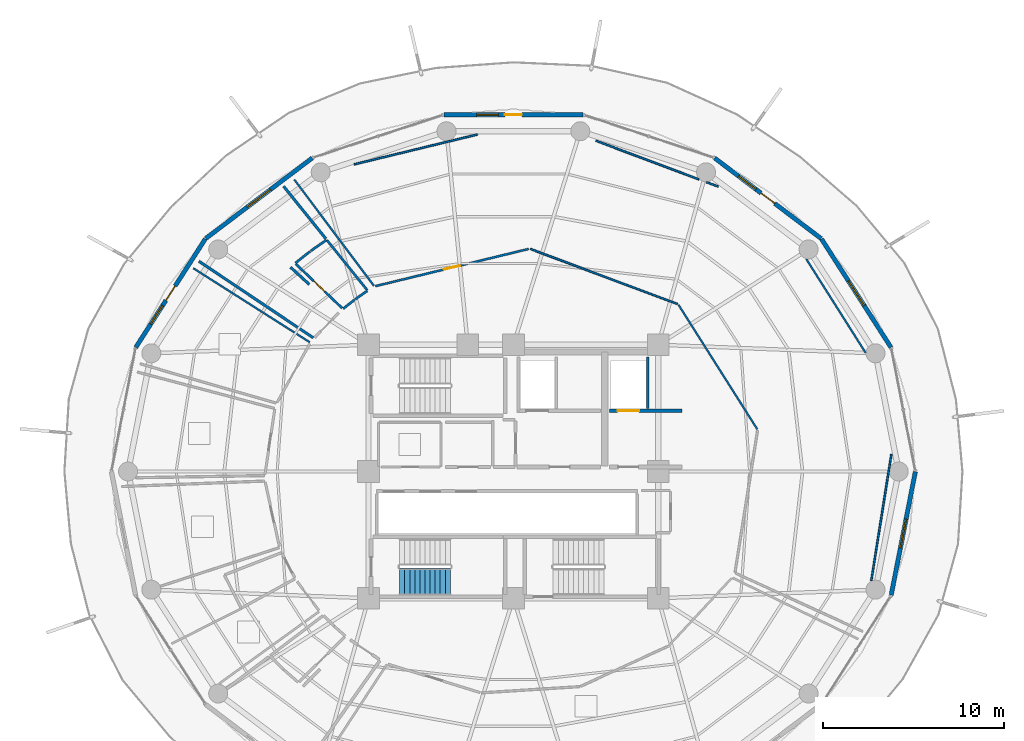
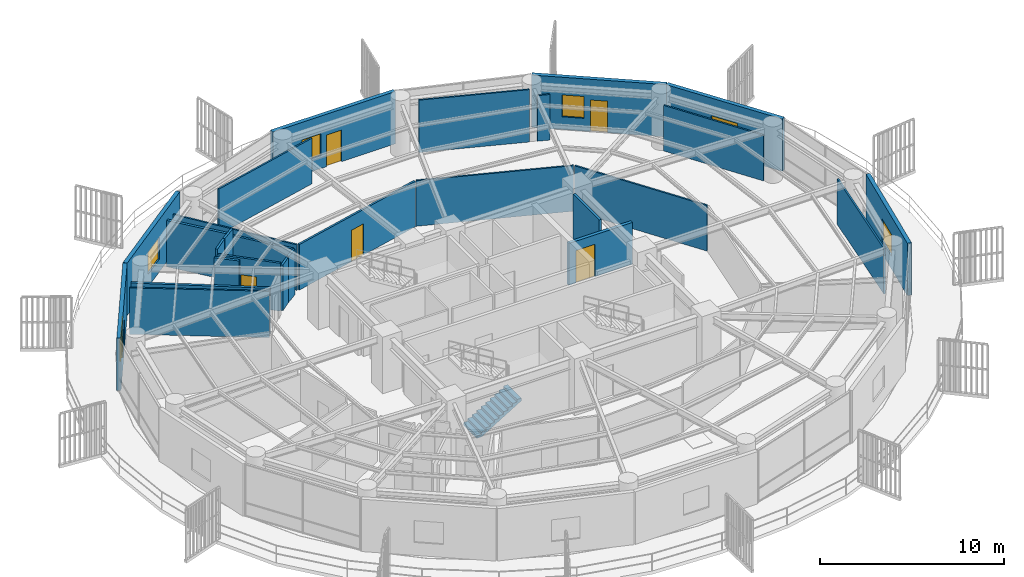
# One storey, part 25 of 30: 27 walls, 6 doors, 6 windows, 1 stair flight, 12 openings, 1 element without a shape of its own.
"""IFC4 building model written with IfcOpenShell, lengths in metres."""

from ifc_helpers import new_model, si_unit, direction, frame, frame_2d, origin, place, context, subcontext, project, spatial, polyline, rectangle, outline, extrude, material, layer, layer_set, type_object, element, fill, aggregate, save


model = new_model("IFC4")

# Units and contexts
model_context = context("Model", 3, precision=1e-05, world=origin(), true_north=direction((0.0, 1.0)))
body_context = subcontext(model_context, "Body", "Model", "MODEL_VIEW")
ifc_project = project(units=[si_unit("LENGTHUNIT", "METRE"), si_unit("AREAUNIT", "SQUARE_METRE"), si_unit("VOLUMEUNIT", "CUBIC_METRE"), si_unit("PLANEANGLEUNIT", "RADIAN"), si_unit("MASSUNIT", "GRAM", prefix="KILO")], contexts=[model_context])

# Site, building, storey
site_placement = place(None, origin())
site = spatial("IfcSite", under=ifc_project, at=site_placement, CompositionType="ELEMENT")
building_placement = place(site_placement, origin())
building = spatial("IfcBuilding", under=site, at=building_placement, Name="Kelanora Arch Commons", CompositionType="ELEMENT")
storey_placement = place(building_placement, frame((0.0, 0.0, 215.699951171875)))
storey = spatial("IfcBuildingStorey", under=building, at=storey_placement, Name="L55", CompositionType="ELEMENT", Elevation=215.699951171875)

# Walls
ifc_material_1 = material(Name="Autoclaved aerated concrete blockwork with fire plaster", Category="masonry")
ifc_layer_1 = layer(ifc_material_1, 0.14990234375)
ifc_layer_set_1 = layer_set([ifc_layer_1], Name="Autoclaved aerated concrete blockwork with fire plaster")
wall_type_1 = type_object("IfcWallType", Name="W-COMP-150", PredefinedType="PARTITIONING", material=ifc_layer_set_1)
wall_1_placement = place(storey_placement, frame((81.419921875, 61.47998046875, 0.0), z_axis=(0.0, 0.0, 1.0), x_axis=(0.0, 1.0, 0.0)))
element("IfcWall", 1, at=wall_1_placement, inside=storey, type_object=wall_type_1, Name="Firefighting Lift 2 East Shaft Wall L55", PredefinedType="PARTITIONING", context=body_context, shape_type="SweptSolid", body=[
    extrude(rectangle(XDim=2.840087890625, YDim=0.14990234375, at=frame_2d((1.419921875, 0.0))), origin(), (0.0, 0.0, 1.0), 3.47998046875),
])
wall_2_placement = place(storey_placement, frame((62.95068359375, 65.382080078125, 0.0), z_axis=(0.0, 0.0, 1.0), x_axis=(-0.831079650143, 0.556153409697, 0.0)))
element("IfcWall", 2, at=wall_2_placement, inside=storey, type_object=wall_type_1, Name="Co-Living Studio L55-01 Enclosure Partition 2", PredefinedType="PARTITIONING", context=body_context, shape_type="SweptSolid", body=[
    extrude(rectangle(XDim=7.594482421875, YDim=0.14990234375, at=frame_2d((3.79736328125, 0.0))), origin(), (0.0, 0.0, 1.0), 3.074951171875),
])
wall_3_placement = place(storey_placement, frame((61.31201171875, 73.748779296875, 0.0), z_axis=(0.0, 0.0, 1.0), x_axis=(0.627090198143, -0.778946649901, 0.0)))
element("IfcWall", 3, at=wall_3_placement, inside=storey, type_object=wall_type_1, Name="Co-Living Studio L55-01 Enclosure Partition 5", PredefinedType="PARTITIONING", context=body_context, shape_type="SweptSolid", body=[
    extrude(rectangle(XDim=3.712158203125, YDim=0.14990234375, at=frame_2d((1.85595703125, 0.0))), origin(), (0.0, 0.0, 1.0), 3.074951171875),
])
wall_4_placement = place(storey_placement, frame((61.69140625, 69.281005859375, 0.0), z_axis=(0.0, 0.0, 1.0), x_axis=(0.736726740779, -0.676190586611, 0.0)))
element("IfcWall", 4, at=wall_4_placement, inside=storey, type_object=wall_type_1, Name="Co-Living Studio L55-01 Enclosure Partition 7", PredefinedType="PARTITIONING", context=body_context, shape_type="SweptSolid", body=[
    extrude(rectangle(XDim=1.3994140625, YDim=0.14990234375, at=frame_2d((0.69970703125, 0.0))), origin(), (0.0, 0.0, 1.0), 3.175048828125),
])

# Wall, opening, window
ifc_material_2 = material(Name="Precast concrete C40/50 upper-zone terracotta rainscreen", Category="masonry")
ifc_layer_2 = layer(ifc_material_2, 0.239990234375)
ifc_layer_set_2 = layer_set([ifc_layer_2], Name="Precast concrete C40/50 upper-zone terracotta rainscreen")
wall_type_2 = type_object("IfcWallType", Name="W-EXT-TC2", PredefinedType="SOLIDWALL", material=ifc_layer_set_2)
wall_5_placement = place(storey_placement, frame((94.85302734375, 64.85302734375, 0.0), z_axis=(0.0, 0.0, 1.0), x_axis=(-0.539539512973, 0.841960280501, 0.0)))
wall_5 = element("IfcWall", 5, at=wall_5_placement, inside=storey, type_object=wall_type_2, Name="Terracotta Exterior Wall L55-B01", PredefinedType="SOLIDWALL", context=body_context, shape_type="SweptSolid", body=[
    extrude(rectangle(XDim=7.11474609375, YDim=0.239990234375, at=frame_2d((3.557373046875, 0.0))), origin(), (0.0, 0.0, 1.0), 3.47509765625),
])
opening_1_placement = place(wall_5_placement, frame((2.757080078125, 0.0, 0.85009765625)))
opening_1 = element("IfcOpeningElement", 6, at=opening_1_placement, cuts=wall_5, Name="Opening WN-01", PredefinedType="OPENING", context=body_context, shape_type="SweptSolid", body=[
    extrude(rectangle(XDim=1.60009765625, YDim=1.449951171875, at=frame_2d((0.800048828125, 0.72509765625))), frame((0.0, 0.1298828125, 0.0), z_axis=(0.0, -1.0, 0.0), x_axis=(1.0, 0.0, 0.0)), (0.0, 0.0, 1.0), 0.260009765625),
])
ifc_material_3 = material(Name="Terracotta-anodised aluminium frame with operable low-E glazing", Category="masonry")
window_type_1 = type_object("IfcWindowType", Name="WIN-CL-18", PartitioningType="DOUBLE_PANEL_VERTICAL", PredefinedType="WINDOW", material=ifc_material_3)
window_1_placement = place(opening_1_placement, origin())
window_1 = element("IfcWindow", 7, at=window_1_placement, inside=storey, type_object=window_type_1, Name="Co-Living Operable Window L55-B01", OverallHeight=1.449951171875, OverallWidth=1.60009765625, PartitioningType="SINGLE_PANEL", PredefinedType="WINDOW", context=body_context, shape_type="SweptSolid", body=[
    extrude(rectangle(XDim=1.60009765625, YDim=1.449951171875, at=frame_2d((0.800048828125, 0.72509765625))), frame((0.0, 0.030029296875, 0.0), z_axis=(0.0, -1.0, 0.0), x_axis=(1.0, 0.0, 0.0)), (0.0, 0.0, 1.0), 0.06005859375),
])
fill(opening_1, window_1)

# Wall, openings, door, window
wall_6_placement = place(storey_placement, frame((90.994140625, 70.86474609375, 0.0), z_axis=(0.0, 0.0, 1.0), x_axis=(-0.797701674595, 0.603052268338, 0.0)))
wall_6 = element("IfcWall", 8, at=wall_6_placement, inside=storey, type_object=wall_type_2, Name="Terracotta Exterior Wall L55-B02", PredefinedType="SOLIDWALL", context=body_context, shape_type="SweptSolid", body=[
    extrude(rectangle(XDim=7.373779296875, YDim=0.239990234375, at=frame_2d((3.68701171875, 0.0))), origin(), (0.0, 0.0, 1.0), 3.47509765625),
])
opening_2_placement = place(wall_6_placement, frame((3.2119140625, 0.0, 0.0)))
opening_2 = element("IfcOpeningElement", 9, at=opening_2_placement, cuts=wall_6, Name="Opening DB-01", PredefinedType="OPENING", context=body_context, shape_type="SweptSolid", body=[
    extrude(rectangle(XDim=0.949951171875, YDim=2.10009765625, at=frame_2d((0.47509765625, 1.050048828125))), frame((0.0, 0.1298828125, 0.0), z_axis=(0.0, -1.0, 0.0), x_axis=(1.0, 0.0, 0.0)), (0.0, 0.0, 1.0), 0.260009765625),
])
opening_3_placement = place(wall_6_placement, frame((4.511962890625, 0.0, 0.85009765625)))
opening_3 = element("IfcOpeningElement", 10, at=opening_3_placement, cuts=wall_6, Name="Opening WN-02", PredefinedType="OPENING", context=body_context, shape_type="SweptSolid", body=[
    extrude(rectangle(XDim=1.199951171875, YDim=1.449951171875, at=frame_2d((0.60009765625, 0.72509765625))), frame((0.0, 0.1298828125, 0.0), z_axis=(0.0, -1.0, 0.0), x_axis=(1.0, 0.0, 0.0)), (0.0, 0.0, 1.0), 0.260009765625),
])
ifc_material_4 = material(Name="Terracotta-aluminium thermally broken glazed balcony door", Category="masonry")
door_type_1 = type_object("IfcDoorType", Name="D-BAL-10", OperationType="NOTDEFINED", PredefinedType="DOOR", material=ifc_material_4)
door_1_placement = place(opening_2_placement, frame((0.949951171875, 0.0, 0.0), z_axis=(0.0, 0.0, 1.0), x_axis=(-1.0, 0.0, 0.0)))
door_1 = element("IfcDoor", 11, at=door_1_placement, inside=storey, type_object=door_type_1, Name="Wave Balcony Door L55-B02", OperationType="SINGLE_SWING_RIGHT", OverallHeight=2.10009765625, OverallWidth=0.949951171875, PredefinedType="DOOR", context=body_context, shape_type="SweptSolid", body=[
    extrude(rectangle(XDim=0.949951171875, YDim=2.10009765625, at=frame_2d((0.47509765625, 1.050048828125))), frame((0.0, 0.02490234375, 0.0), z_axis=(0.0, -1.0, 0.0), x_axis=(1.0, 0.0, 0.0)), (0.0, 0.0, 1.0), 0.050048828125),
])
fill(opening_2, door_1)
ifc_material_5 = material(Name="Terracotta-anodised aluminium frame with operable awning sash", Category="masonry")
window_type_2 = type_object("IfcWindowType", Name="WIN-CL-12", PartitioningType="SINGLE_PANEL", PredefinedType="WINDOW", material=ifc_material_5)
window_2_placement = place(opening_3_placement, origin())
window_2 = element("IfcWindow", 12, at=window_2_placement, inside=storey, type_object=window_type_2, Name="Co-Living Operable Window L55-B02", OverallHeight=1.449951171875, OverallWidth=1.199951171875, PartitioningType="SINGLE_PANEL", PredefinedType="WINDOW", context=body_context, shape_type="SweptSolid", body=[
    extrude(rectangle(XDim=1.199951171875, YDim=1.449951171875, at=frame_2d((0.60009765625, 0.72509765625))), frame((0.0, 0.030029296875, 0.0), z_axis=(0.0, -1.0, 0.0), x_axis=(1.0, 0.0, 0.0)), (0.0, 0.0, 1.0), 0.06005859375),
])
fill(opening_3, window_2)

wall_7_placement = place(storey_placement, frame((77.840087890625, 77.6962890625, 0.0), z_axis=(0.0, 0.0, 1.0), x_axis=(-1.0, 0.0, 0.0)))
wall_7 = element("IfcWall", 13, at=wall_7_placement, inside=storey, type_object=wall_type_2, Name="Terracotta Exterior Wall L55-B04", PredefinedType="SOLIDWALL", context=body_context, shape_type="SweptSolid", body=[
    extrude(rectangle(XDim=7.68017578125, YDim=0.239990234375, at=frame_2d((3.840087890625, 0.0))), origin(), (0.0, 0.0, 1.0), 3.47509765625),
])
opening_4_placement = place(wall_7_placement, frame((3.364990234375, 0.0, 0.0)))
opening_4 = element("IfcOpeningElement", 14, at=opening_4_placement, cuts=wall_7, Name="Opening DB-01", PredefinedType="OPENING", context=body_context, shape_type="SweptSolid", body=[
    extrude(rectangle(XDim=0.949951171875, YDim=2.10009765625, at=frame_2d((0.47509765625, 1.050048828125))), frame((0.0, 0.1298828125, 0.0), z_axis=(0.0, -1.0, 0.0), x_axis=(1.0, 0.0, 0.0)), (0.0, 0.0, 1.0), 0.260009765625),
])
opening_5_placement = place(wall_7_placement, frame((4.6650390625, 0.0, 0.85009765625)))
opening_5 = element("IfcOpeningElement", 15, at=opening_5_placement, cuts=wall_7, Name="Opening WN-02", PredefinedType="OPENING", context=body_context, shape_type="SweptSolid", body=[
    extrude(rectangle(XDim=1.199951171875, YDim=1.449951171875, at=frame_2d((0.60009765625, 0.72509765625))), frame((0.0, 0.1298828125, 0.0), z_axis=(0.0, -1.0, 0.0), x_axis=(1.0, 0.0, 0.0)), (0.0, 0.0, 1.0), 0.260009765625),
])
door_2_placement = place(opening_4_placement, frame((0.949951171875, 0.0, 0.0), z_axis=(0.0, 0.0, 1.0), x_axis=(-1.0, 0.0, 0.0)))
door_2 = element("IfcDoor", 16, at=door_2_placement, inside=storey, type_object=door_type_1, Name="Wave Balcony Door L55-B04", OperationType="SINGLE_SWING_RIGHT", OverallHeight=2.10009765625, OverallWidth=0.949951171875, PredefinedType="DOOR", context=body_context, shape_type="SweptSolid", body=[
    extrude(rectangle(XDim=0.949951171875, YDim=2.10009765625, at=frame_2d((0.47509765625, 1.050048828125))), frame((0.0, 0.02490234375, 0.0), z_axis=(0.0, -1.0, 0.0), x_axis=(1.0, 0.0, 0.0)), (0.0, 0.0, 1.0), 0.050048828125),
])
fill(opening_4, door_2)
window_3_placement = place(opening_5_placement, origin())
window_3 = element("IfcWindow", 17, at=window_3_placement, inside=storey, type_object=window_type_2, Name="Co-Living Operable Window L55-B04", OverallHeight=1.449951171875, OverallWidth=1.199951171875, PartitioningType="SINGLE_PANEL", PredefinedType="WINDOW", context=body_context, shape_type="SweptSolid", body=[
    extrude(rectangle(XDim=1.199951171875, YDim=1.449951171875, at=frame_2d((0.60009765625, 0.72509765625))), frame((0.0, 0.030029296875, 0.0), z_axis=(0.0, -1.0, 0.0), x_axis=(1.0, 0.0, 0.0)), (0.0, 0.0, 1.0), 0.06005859375),
])
fill(opening_5, window_3)

# Wall, opening, window
wall_8_placement = place(storey_placement, frame((62.887939453125, 75.3115234375, 0.0), z_axis=(0.0, 0.0, 1.0), x_axis=(-0.797701674595, -0.603052268338, 0.0)))
wall_8 = element("IfcWall", 18, at=wall_8_placement, inside=storey, type_object=wall_type_2, Name="Terracotta Exterior Wall L55-B06", PredefinedType="SOLIDWALL", context=body_context, shape_type="SweptSolid", body=[
    extrude(rectangle(XDim=7.373779296875, YDim=0.239990234375, at=frame_2d((3.68701171875, 0.0))), origin(), (0.0, 0.0, 1.0), 3.47509765625),
])
opening_6_placement = place(wall_8_placement, frame((2.886962890625, 0.0, 0.85009765625)))
opening_6 = element("IfcOpeningElement", 19, at=opening_6_placement, cuts=wall_8, Name="Opening WN-01", PredefinedType="OPENING", context=body_context, shape_type="SweptSolid", body=[
    extrude(rectangle(XDim=1.60009765625, YDim=1.449951171875, at=frame_2d((0.800048828125, 0.72509765625))), frame((0.0, 0.1298828125, 0.0), z_axis=(0.0, -1.0, 0.0), x_axis=(1.0, 0.0, 0.0)), (0.0, 0.0, 1.0), 0.260009765625),
])
window_4_placement = place(opening_6_placement, origin())
window_4 = element("IfcWindow", 20, at=window_4_placement, inside=storey, type_object=window_type_1, Name="Co-Living Operable Window L55-B06", OverallHeight=1.449951171875, OverallWidth=1.60009765625, PartitioningType="SINGLE_PANEL", PredefinedType="WINDOW", context=body_context, shape_type="SweptSolid", body=[
    extrude(rectangle(XDim=1.60009765625, YDim=1.449951171875, at=frame_2d((0.800048828125, 0.72509765625))), frame((0.0, 0.030029296875, 0.0), z_axis=(0.0, -1.0, 0.0), x_axis=(1.0, 0.0, 0.0)), (0.0, 0.0, 1.0), 0.06005859375),
])
fill(opening_6, window_4)

# Wall, openings, door, window
wall_9_placement = place(storey_placement, frame((56.985595703125, 70.84326171875, 0.0), z_axis=(0.0, 0.0, 1.0), x_axis=(-0.539539512973, -0.841960280501, 0.0)))
wall_9 = element("IfcWall", 21, at=wall_9_placement, inside=storey, type_object=wall_type_2, Name="Terracotta Exterior Wall L55-B07", PredefinedType="SOLIDWALL", context=body_context, shape_type="SweptSolid", body=[
    extrude(rectangle(XDim=7.11474609375, YDim=0.239990234375, at=frame_2d((3.557373046875, 0.0))), origin(), (0.0, 0.0, 1.0), 3.47509765625),
])
opening_7_placement = place(wall_9_placement, frame((3.08203125, 0.0, 0.0)))
opening_7 = element("IfcOpeningElement", 22, at=opening_7_placement, cuts=wall_9, Name="Opening DB-01", PredefinedType="OPENING", context=body_context, shape_type="SweptSolid", body=[
    extrude(rectangle(XDim=0.949951171875, YDim=2.10009765625, at=frame_2d((0.47509765625, 1.050048828125))), frame((0.0, 0.1298828125, 0.0), z_axis=(0.0, -1.0, 0.0), x_axis=(1.0, 0.0, 0.0)), (0.0, 0.0, 1.0), 0.260009765625),
])
opening_8_placement = place(wall_9_placement, frame((4.382080078125, 0.0, 0.85009765625)))
opening_8 = element("IfcOpeningElement", 23, at=opening_8_placement, cuts=wall_9, Name="Opening WN-02", PredefinedType="OPENING", context=body_context, shape_type="SweptSolid", body=[
    extrude(rectangle(XDim=1.199951171875, YDim=1.449951171875, at=frame_2d((0.60009765625, 0.72509765625))), frame((0.0, 0.1298828125, 0.0), z_axis=(0.0, -1.0, 0.0), x_axis=(1.0, 0.0, 0.0)), (0.0, 0.0, 1.0), 0.260009765625),
])
door_3_placement = place(opening_7_placement, frame((0.949951171875, 0.0, 0.0), z_axis=(0.0, 0.0, 1.0), x_axis=(-1.0, 0.0, 0.0)))
door_3 = element("IfcDoor", 24, at=door_3_placement, inside=storey, type_object=door_type_1, Name="Wave Balcony Door L55-B07", OperationType="SINGLE_SWING_LEFT", OverallHeight=2.10009765625, OverallWidth=0.949951171875, PredefinedType="DOOR", context=body_context, shape_type="SweptSolid", body=[
    extrude(rectangle(XDim=0.949951171875, YDim=2.10009765625, at=frame_2d((0.47509765625, 1.050048828125))), frame((0.0, 0.02490234375, 0.0), z_axis=(0.0, -1.0, 0.0), x_axis=(1.0, 0.0, 0.0)), (0.0, 0.0, 1.0), 0.050048828125),
])
fill(opening_7, door_3)
window_5_placement = place(opening_8_placement, origin())
window_5 = element("IfcWindow", 25, at=window_5_placement, inside=storey, type_object=window_type_2, Name="Co-Living Operable Window L55-B07", OverallHeight=1.449951171875, OverallWidth=1.199951171875, PartitioningType="SINGLE_PANEL", PredefinedType="WINDOW", context=body_context, shape_type="SweptSolid", body=[
    extrude(rectangle(XDim=1.199951171875, YDim=1.449951171875, at=frame_2d((0.60009765625, 0.72509765625))), frame((0.0, 0.030029296875, 0.0), z_axis=(0.0, -1.0, 0.0), x_axis=(1.0, 0.0, 0.0)), (0.0, 0.0, 1.0), 0.06005859375),
])
fill(opening_8, window_5)

# Wall, opening, window
wall_10_placement = place(storey_placement, frame((94.864013671875, 51.17431640625, 0.0), z_axis=(0.0, 0.0, 1.0), x_axis=(0.192069055673, 0.981381413036, 0.0)))
wall_10 = element("IfcWall", 26, at=wall_10_placement, inside=storey, type_object=wall_type_2, Name="Terracotta Exterior Wall L55-B17", PredefinedType="SOLIDWALL", context=body_context, shape_type="SweptSolid", body=[
    extrude(rectangle(XDim=6.940185546875, YDim=0.239990234375, at=frame_2d((3.47021484375, 0.0))), origin(), (0.0, 0.0, 1.0), 3.47509765625),
])
opening_9_placement = place(wall_10_placement, frame((2.669921875, 0.0, 0.85009765625)))
opening_9 = element("IfcOpeningElement", 27, at=opening_9_placement, cuts=wall_10, Name="Opening WN-01", PredefinedType="OPENING", context=body_context, shape_type="SweptSolid", body=[
    extrude(rectangle(XDim=1.60009765625, YDim=1.449951171875, at=frame_2d((0.800048828125, 0.72509765625))), frame((0.0, 0.1298828125, 0.0), z_axis=(0.0, -1.0, 0.0), x_axis=(1.0, 0.0, 0.0)), (0.0, 0.0, 1.0), 0.260009765625),
])
window_6_placement = place(opening_9_placement, origin())
window_6 = element("IfcWindow", 28, at=window_6_placement, inside=storey, type_object=window_type_1, Name="Co-Living Operable Window L55-B17", OverallHeight=1.449951171875, OverallWidth=1.60009765625, PartitioningType="SINGLE_PANEL", PredefinedType="WINDOW", context=body_context, shape_type="SweptSolid", body=[
    extrude(rectangle(XDim=1.60009765625, YDim=1.449951171875, at=frame_2d((0.800048828125, 0.72509765625))), frame((0.0, 0.030029296875, 0.0), z_axis=(0.0, -1.0, 0.0), x_axis=(1.0, 0.0, 0.0)), (0.0, 0.0, 1.0), 0.06005859375),
])
fill(opening_9, window_6)

# Wall, opening, door
ifc_material_6 = material(Name="Concrete C40/50", Category="concrete")
ifc_layer_3 = layer(ifc_material_6, 0.199951171875)
ifc_layer_set_3 = layer_set([ifc_layer_3], Name="Concrete C40/50")
wall_type_3 = type_object("IfcWallType", Name="W-FFL-200", PredefinedType="SOLIDWALL", material=ifc_layer_set_3)
wall_11_placement = place(storey_placement, frame((79.300048828125, 61.35009765625, 0.0), z_axis=(0.0, 0.0, 1.0), x_axis=(1.0, 0.0, 0.0)))
wall_11 = element("IfcWall", 29, at=wall_11_placement, inside=storey, type_object=wall_type_3, Name="Firefighting Lift 2 Shaft Front L55", PredefinedType="SOLIDWALL", context=body_context, shape_type="SweptSolid", body=[
    extrude(rectangle(XDim=4.0, YDim=0.199951171875, at=frame_2d((2.0, 0.0))), origin(), (0.0, 0.0, 1.0), 2.775146484375),
])
opening_10_placement = place(wall_11_placement, frame((0.449951171875, 0.0, 0.0)))
opening_10 = element("IfcOpeningElement", 30, at=opening_10_placement, cuts=wall_11, Name="Opening LD-FF", PredefinedType="OPENING", context=body_context, shape_type="SweptSolid", body=[
    extrude(rectangle(XDim=1.199951171875, YDim=2.14990234375, at=frame_2d((0.60009765625, 1.074951171875))), frame((0.0, 0.10986328125, 0.0), z_axis=(0.0, -1.0, 0.0), x_axis=(1.0, 0.0, 0.0)), (0.0, 0.0, 1.0), 0.219970703125),
])
ifc_material_7 = material(Name="Fire-rated firefighters lift sliding landing door")
door_type_2 = type_object("IfcDoorType", Name="D-LIFT-FF", OperationType="NOTDEFINED", PredefinedType="DOOR", material=ifc_material_7)
door_4_placement = place(opening_10_placement, origin())
door_4 = element("IfcDoor", 31, at=door_4_placement, inside=storey, type_object=door_type_2, Name="Firefighting Lift LF-FF2 Landing Door L55", OperationType="DOUBLE_DOOR_SLIDING", OverallHeight=2.14990234375, OverallWidth=1.199951171875, PredefinedType="DOOR", context=body_context, shape_type="SweptSolid", body=[
    extrude(rectangle(XDim=1.199951171875, YDim=2.14990234375, at=frame_2d((0.60009765625, 1.074951171875))), frame((0.0, 0.02490234375, 0.0), z_axis=(0.0, -1.0, 0.0), x_axis=(1.0, 0.0, 0.0)), (0.0, 0.0, 1.0), 0.050048828125),
])
fill(opening_10, door_4)

# Walls
ifc_material_8 = material(Name="Lightweight fire-rated acoustic stud partition")
ifc_layer_4 = layer(ifc_material_8, 0.10009765625)
ifc_layer_set_4 = layer_set([ifc_layer_4], Name="Lightweight fire-rated acoustic stud partition")
wall_type_4 = type_object("IfcWallType", Name="W-PART-100", PredefinedType="PARTITIONING", material=ifc_layer_set_4)
wall_12_placement = place(storey_placement, frame((87.467529296875, 60.333740234375, 0.0), z_axis=(0.0, 0.0, 1.0), x_axis=(-0.534944175276, 0.844887406308, 0.0)))
element("IfcWall", 32, at=wall_12_placement, inside=storey, type_object=wall_type_4, Name="North-East Shared Cluster Kitchen L55 Enclosure Partition 2", PredefinedType="PARTITIONING", context=body_context, shape_type="SweptSolid", body=[
    extrude(rectangle(XDim=8.128173828125, YDim=0.10009765625, at=frame_2d((4.06396484375, 0.0))), origin(), (0.0, 0.0, 1.0), 3.025146484375),
])
wall_13_placement = place(storey_placement, frame((83.060546875, 67.2490234375, 0.0), z_axis=(0.0, 0.0, 1.0), x_axis=(-0.936551038794, 0.350531242164, 0.0)))
element("IfcWall", 33, at=wall_13_placement, inside=storey, type_object=wall_type_4, Name="North-East Shared Cluster Kitchen L55 Enclosure Partition 3", PredefinedType="PARTITIONING", context=body_context, shape_type="SweptSolid", body=[
    extrude(rectangle(XDim=8.675537109375, YDim=0.10009765625, at=frame_2d((4.337890625, 0.0))), origin(), (0.0, 0.0, 1.0), 3.025146484375),
])
wall_14_placement = place(storey_placement, frame((66.298095703125, 68.25390625, 0.0), z_axis=(0.0, 0.0, 1.0), x_axis=(-0.599930714763, 0.80005195924, 0.0)))
element("IfcWall", 34, at=wall_14_placement, inside=storey, type_object=wall_type_4, Name="North-East Shared Cluster Kitchen L55 Enclosure Partition 5", PredefinedType="PARTITIONING", context=body_context, shape_type="SweptSolid", body=[
    extrude(rectangle(XDim=7.32958984375, YDim=0.10009765625, at=frame_2d((3.664794921875, 0.0))), origin(), (0.0, 0.0, 1.0), 3.025146484375),
])
wall_15_placement = place(storey_placement, frame((65.209228515625, 74.958984375, 0.0), z_axis=(0.0, 0.0, 1.0), x_axis=(0.971754503242, 0.235994036851, 0.0)))
element("IfcWall", 35, at=wall_15_placement, inside=storey, type_object=wall_type_4, Name="North-East Shared Cluster Kitchen L55 Enclosure Partition 6", PredefinedType="PARTITIONING", context=body_context, shape_type="SweptSolid", body=[
    extrude(rectangle(XDim=7.004638671875, YDim=0.10009765625, at=frame_2d((3.50244140625, 0.0))), origin(), (0.0, 0.0, 1.0), 3.025146484375),
])
wall_16_placement = place(storey_placement, frame((78.553955078125, 76.263916015625, 0.0), z_axis=(0.0, 0.0, 1.0), x_axis=(0.936506961486, -0.35064898558, 0.0)))
element("IfcWall", 36, at=wall_16_placement, inside=storey, type_object=wall_type_4, Name="North-East Shared Cluster Kitchen L55 Enclosure Partition 7", PredefinedType="PARTITIONING", context=body_context, shape_type="SweptSolid", body=[
    extrude(rectangle(XDim=6.0908203125, YDim=0.10009765625, at=frame_2d((3.04541015625, 0.0))), origin(), (0.0, 0.0, 1.0), 3.47998046875),
])
wall_17_placement = place(storey_placement, frame((84.668212890625, 73.974609375, 0.0), z_axis=(0.0, 0.0, 1.0), x_axis=(0.93647410615, -0.350736722499, 0.0)))
element("IfcWall", 37, at=wall_17_placement, inside=storey, type_object=wall_type_4, Name="North-East Shared Cluster Kitchen L55 Enclosure Partition 7", PredefinedType="PARTITIONING", context=body_context, shape_type="SweptSolid", body=[
    extrude(rectangle(XDim=0.69189453125, YDim=0.10009765625, at=frame_2d((0.345947265625, 0.0))), origin(), (0.0, 0.0, 1.0), 3.025146484375),
])
wall_18_placement = place(storey_placement, frame((90.1767578125, 69.728759765625, 0.0), z_axis=(0.0, 0.0, 1.0), x_axis=(0.534740598511, -0.845016267479, 0.0)))
element("IfcWall", 38, at=wall_18_placement, inside=storey, type_object=wall_type_4, Name="North-East Shared Cluster Kitchen L55 Enclosure Partition 8", PredefinedType="PARTITIONING", context=body_context, shape_type="SweptSolid", body=[
    extrude(rectangle(XDim=6.116943359375, YDim=0.10009765625, at=frame_2d((3.05859375, 0.0))), origin(), (0.0, 0.0, 1.0), 3.025146484375),
])
wall_19_placement = place(storey_placement, frame((94.8740234375, 58.952880859375, 0.0), z_axis=(0.0, 0.0, 1.0), x_axis=(-0.156966500415, -0.987603927568, 0.0)))
element("IfcWall", 39, at=wall_19_placement, inside=storey, type_object=wall_type_4, Name="North-East Shared Cluster Kitchen L55 Enclosure Partition 9", PredefinedType="PARTITIONING", context=body_context, shape_type="SweptSolid", body=[
    extrude(rectangle(XDim=7.067626953125, YDim=0.10009765625, at=frame_2d((3.53369140625, 0.0))), origin(), (0.0, 0.0, 1.0), 3.025146484375),
])
wall_20_placement = place(storey_placement, frame((56.328857421875, 69.221435546875, 0.0), z_axis=(0.0, 0.0, 1.0), x_axis=(0.843949218332, -0.536423076383, 0.0)))
element("IfcWall", 40, at=wall_20_placement, inside=storey, type_object=wall_type_4, Name="Shared Cluster Kitchen L55-02 Enclosure Partition 4", PredefinedType="PARTITIONING", context=body_context, shape_type="SweptSolid", body=[
    extrude(rectangle(XDim=7.61328125, YDim=0.10009765625, at=frame_2d((3.806640625, 0.0))), origin(), (0.0, 0.0, 1.0), 3.074951171875),
])

# Wall, opening, door
ifc_material_9 = material(Name="Acoustic twin-stud fire-rated gypsum partition")
ifc_layer_5 = layer(ifc_material_9, 0.1201171875)
ifc_layer_set_5 = layer_set([ifc_layer_5], Name="Acoustic twin-stud fire-rated gypsum partition")
wall_type_5 = type_object("IfcWallType", Name="W-PART-120", PredefinedType="PARTITIONING", material=ifc_layer_set_5)
wall_21_placement = place(storey_placement, frame((74.839599609375, 70.289794921875, 0.0), z_axis=(0.0, 0.0, 1.0), x_axis=(-0.971771434763, -0.235924306884, 0.0)))
wall_21 = element("IfcWall", 41, at=wall_21_placement, inside=storey, type_object=wall_type_5, Name="North-East Shared Cluster Kitchen L55 Entry Partition", PredefinedType="PARTITIONING", context=body_context, shape_type="SweptSolid", body=[
    extrude(rectangle(XDim=8.705078125, YDim=0.1201171875, at=frame_2d((4.3525390625, 0.0))), origin(), (0.0, 0.0, 1.0), 3.025146484375),
])
opening_11_placement = place(wall_21_placement, frame((3.903076171875, 0.0, 0.0)))
opening_11 = element("IfcOpeningElement", 42, at=opening_11_placement, cuts=wall_21, Name="Opening D-RM1", PredefinedType="OPENING", context=body_context, shape_type="SweptSolid", body=[
    extrude(rectangle(XDim=0.89990234375, YDim=2.080078125, at=frame_2d((0.449951171875, 1.0400390625))), frame((0.0, 0.070068359375, 0.0), z_axis=(0.0, -1.0, 0.0), x_axis=(1.0, 0.0, 0.0)), (0.0, 0.0, 1.0), 0.14013671875),
])
ifc_material_10 = material(Name="Acoustic fire-rated timber study and lounge door", Category="wood")
door_type_3 = type_object("IfcDoorType", Name="D-ROOM-90", OperationType="NOTDEFINED", PredefinedType="DOOR", material=ifc_material_10)
door_5_placement = place(opening_11_placement, origin())
door_5 = element("IfcDoor", 43, at=door_5_placement, inside=storey, type_object=door_type_3, Name="North-East Shared Cluster Kitchen L55 Door", OperationType="SINGLE_SWING_RIGHT", OverallHeight=2.080078125, OverallWidth=0.89990234375, PredefinedType="DOOR", context=body_context, shape_type="SweptSolid", body=[
    extrude(rectangle(XDim=0.89990234375, YDim=2.080078125, at=frame_2d((0.449951171875, 1.0400390625))), frame((0.0, 0.02490234375, 0.0), z_axis=(0.0, -1.0, 0.0), x_axis=(1.0, 0.0, 0.0)), (0.0, 0.0, 1.0), 0.050048828125),
])
fill(opening_11, door_5)

ifc_material_11 = material(Name="Moisture-resistant fire-rated cement-board plumbing wall")
ifc_layer_6 = layer(ifc_material_11, 0.1298828125)
ifc_layer_set_6 = layer_set([ifc_layer_6], Name="Moisture-resistant fire-rated cement-board plumbing wall")
wall_type_6 = type_object("IfcWallType", Name="W-WET-120", PredefinedType="PLUMBINGWALL", material=ifc_layer_set_6)
wall_22_placement = place(storey_placement, frame((64.544677734375, 67.018310546875, 0.0), z_axis=(0.0, 0.0, 1.0), x_axis=(-0.723495138875, 0.690329474979, 0.0)))
wall_22 = element("IfcWall", 44, at=wall_22_placement, inside=storey, type_object=wall_type_6, Name="En-Suite Shower WC L55-01 Entry Partition", PredefinedType="PLUMBINGWALL", context=body_context, shape_type="SweptSolid", body=[
    extrude(rectangle(XDim=3.533447265625, YDim=0.1298828125, at=frame_2d((1.7666015625, 0.0))), origin(), (0.0, 0.0, 1.0), 3.175048828125),
])
opening_12_placement = place(wall_22_placement, frame((1.3369140625, 0.0, 0.0)))
opening_12 = element("IfcOpeningElement", 45, at=opening_12_placement, cuts=wall_22, Name="Opening D-BT1", PredefinedType="OPENING", context=body_context, shape_type="SweptSolid", body=[
    extrude(rectangle(XDim=0.860107421875, YDim=2.050048828125, at=frame_2d((0.43017578125, 1.02490234375))), frame((0.0, 0.074951171875, 0.0), z_axis=(0.0, -1.0, 0.0), x_axis=(1.0, 0.0, 0.0)), (0.0, 0.0, 1.0), 0.14990234375),
])
ifc_material_12 = material(Name="Moisture-sealed fire-rated accessible bathroom door")
door_type_4 = type_object("IfcDoorType", Name="D-BATH-85", OperationType="NOTDEFINED", PredefinedType="DOOR", material=ifc_material_12)
door_6_placement = place(opening_12_placement, origin())
door_6 = element("IfcDoor", 46, at=door_6_placement, inside=storey, type_object=door_type_4, Name="En-Suite Shower WC L55-01 Door", OperationType="SINGLE_SWING_LEFT", OverallHeight=2.050048828125, OverallWidth=0.860107421875, PredefinedType="DOOR", context=body_context, shape_type="SweptSolid", body=[
    extrude(rectangle(XDim=0.860107421875, YDim=2.050048828125, at=frame_2d((0.43017578125, 1.02490234375))), frame((0.0, 0.02490234375, 0.0), z_axis=(0.0, -1.0, 0.0), x_axis=(1.0, 0.0, 0.0)), (0.0, 0.0, 1.0), 0.050048828125),
])
fill(opening_12, door_6)

# Walls
wall_23_placement = place(storey_placement, frame((65.9326171875, 67.9765625, 0.0), z_axis=(0.0, 0.0, 1.0), x_axis=(-0.821107527055, -0.570773535663, 0.0)))
element("IfcWall", 47, at=wall_23_placement, inside=storey, type_object=wall_type_6, Name="En-Suite Shower WC L55-01 Enclosure Partition 1", PredefinedType="PLUMBINGWALL", context=body_context, shape_type="SweptSolid", body=[
    extrude(rectangle(XDim=0.8115234375, YDim=0.1298828125, at=frame_2d((0.40576171875, 0.0))), origin(), (0.0, 0.0, 1.0), 3.025146484375),
])
wall_24_placement = place(storey_placement, frame((65.234375, 67.489501953125, 0.0), z_axis=(0.0, 0.0, 1.0), x_axis=(-0.783584251465, -0.621285538908, 0.0)))
element("IfcWall", 48, at=wall_24_placement, inside=storey, type_object=wall_type_6, Name="En-Suite Shower WC L55-01 Enclosure Partition 2", PredefinedType="PLUMBINGWALL", context=body_context, shape_type="SweptSolid", body=[
    extrude(rectangle(XDim=0.8046875, YDim=0.1298828125, at=frame_2d((0.40234375, 0.0))), origin(), (0.0, 0.0, 1.0), 3.025146484375),
])
wall_25_placement = place(storey_placement, frame((61.960693359375, 69.511474609375, 0.0), z_axis=(0.0, 0.0, 1.0), x_axis=(0.784079055359, 0.620660966186, 0.0)))
element("IfcWall", 49, at=wall_25_placement, inside=storey, type_object=wall_type_6, Name="En-Suite Shower WC L55-01 Enclosure Partition 4", PredefinedType="PLUMBINGWALL", context=body_context, shape_type="SweptSolid", body=[
    extrude(rectangle(XDim=1.042724609375, YDim=0.1298828125, at=frame_2d((0.521484375, 0.0))), origin(), (0.0, 0.0, 1.0), 3.47998046875),
])
wall_26_placement = place(storey_placement, frame((62.810302734375, 70.182373046875, 0.0), z_axis=(0.0, 0.0, 1.0), x_axis=(0.820692025527, 0.571370807127, 0.0)))
element("IfcWall", 50, at=wall_26_placement, inside=storey, type_object=wall_type_6, Name="En-Suite Shower WC L55-01 Enclosure Partition 5", PredefinedType="PLUMBINGWALL", context=body_context, shape_type="SweptSolid", body=[
    extrude(rectangle(XDim=1.05078125, YDim=0.1298828125, at=frame_2d((0.525390625, 0.0))), origin(), (0.0, 0.0, 1.0), 3.47998046875),
])
wall_27_placement = place(storey_placement, frame((63.701416015625, 70.7783203125, 0.0), z_axis=(0.0, 0.0, 1.0), x_axis=(0.627323766187, -0.778758558461, 0.0)))
element("IfcWall", 51, at=wall_27_placement, inside=storey, type_object=wall_type_6, Name="En-Suite Shower WC L55-01 Enclosure Partition 6", PredefinedType="PLUMBINGWALL", context=body_context, shape_type="SweptSolid", body=[
    extrude(rectangle(XDim=3.56298828125, YDim=0.1298828125, at=frame_2d((1.781494140625, 0.0))), origin(), (0.0, 0.0, 1.0), 3.025146484375),
])

# Stair, stair flight
stair_type = type_object("IfcStairType", Name="STR-DL-375", PredefinedType="HALF_TURN_STAIR", material=ifc_material_6)
stair_placement = place(storey_placement, origin())
stair = element("IfcStair", 52, at=stair_placement, inside=storey, type_object=stair_type, Name="L55 ST-T3", PredefinedType="HALF_TURN_STAIR")
stair_flight_type = type_object("IfcStairFlightType", Name="FLT-DL-375", PredefinedType="STRAIGHT", material=ifc_material_6)
stair_flight_placement = place(storey_placement, frame((67.719970703125, 51.919921875, 0.0), z_axis=(0.0, 0.0, 1.0), x_axis=(1.0, 0.0, 0.0)))
stair_flight = element("IfcStairFlight", 53, at=stair_flight_placement, type_object=stair_flight_type, Name="ST-T3 flight 1", NumberOfRisers=11, NumberOfTreads=10, PredefinedType="STRAIGHT", RiserHeight=0.170454545, TreadLength=0.28, context=body_context, shape_type="SweptSolid", body=[
    extrude(outline(polyline([(0.0, 0.0), (0.0, 0.17041015625), (0.280029296875, 0.17041015625), (0.280029296875, 0.3408203125), (0.56005859375, 0.3408203125), (0.56005859375, 0.511474609375), (0.840087890625, 0.511474609375), (0.840087890625, 0.681884765625), (1.1201171875, 0.681884765625), (1.1201171875, 0.852294921875), (1.39990234375, 0.852294921875), (1.39990234375, 1.022705078125), (1.679931640625, 1.022705078125), (1.679931640625, 1.193115234375), (1.9599609375, 1.193115234375), (1.9599609375, 1.363525390625), (2.239990234375, 1.363525390625), (2.239990234375, 1.5341796875), (2.52001953125, 1.5341796875), (2.52001953125, 1.70458984375), (2.800048828125, 1.70458984375), (2.800048828125, 1.875), (2.800048828125, 1.529052734375), (0.288330078125, 0.0), (0.0, 0.0)])), frame((0.0, 0.739990234375, 0.0), z_axis=(0.0, -1.0, 0.0), x_axis=(1.0, 0.0, 0.0)), (0.0, 0.0, 1.0), 1.47998046875),
])
aggregate(stair, [stair_flight])

save(model, "model.ifc")
